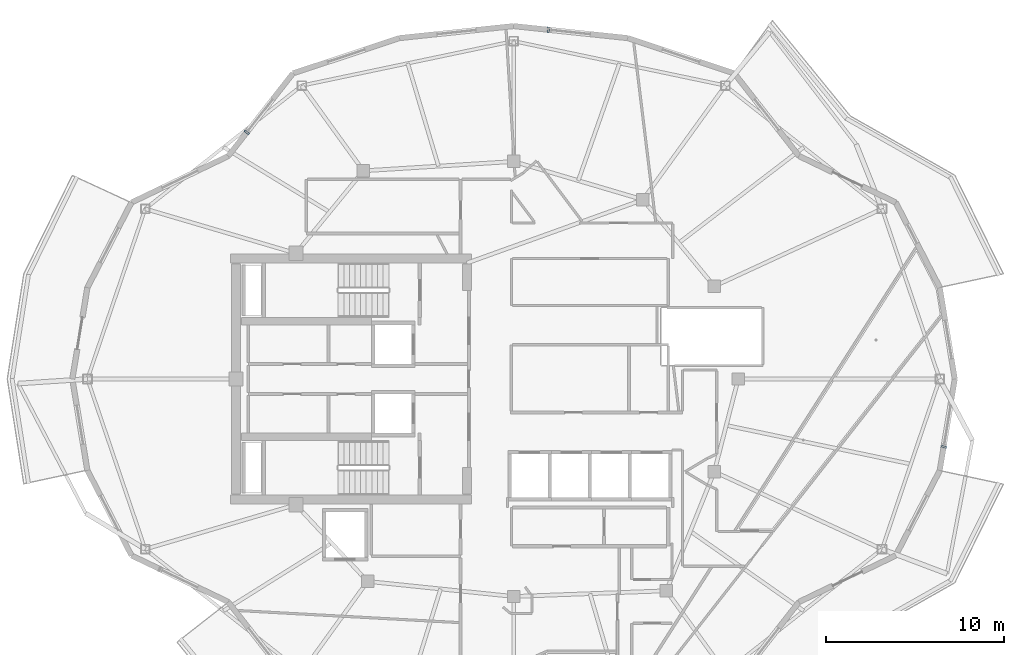
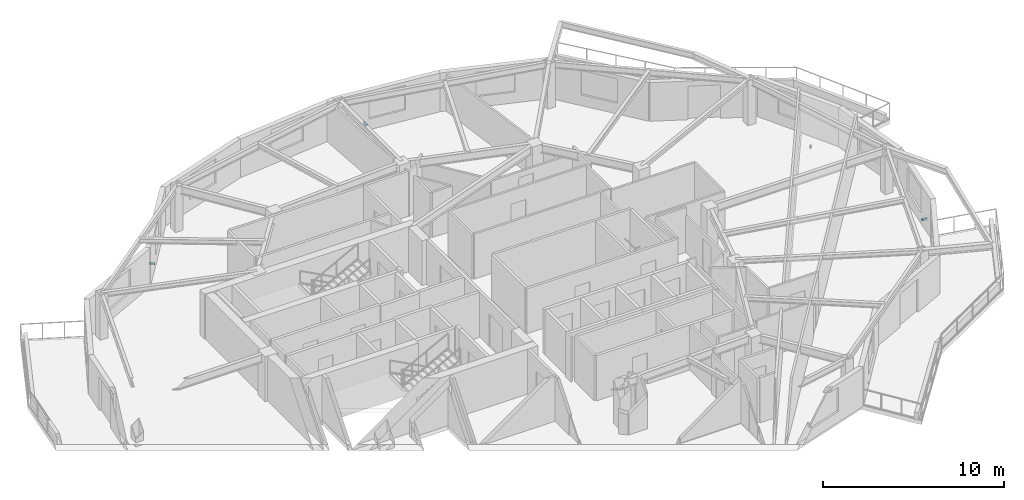
# One storey, part 9 of 14: 3 discrete accessories.
"""IFC4 building model written with IfcOpenShell, lengths in metres."""

from ifc_helpers import new_model, si_unit, direction, frame, origin, origin_2d, place, context, subcontext, project, spatial, rectangle, extrude, material, type_object, element, save


model = new_model("IFC4")

# Units and contexts
model_context = context("Model", 3, precision=1e-05, world=origin(), true_north=direction((0.0, 1.0)))
body_context = subcontext(model_context, "Body", "Model", "MODEL_VIEW")
ifc_project = project(units=[si_unit("LENGTHUNIT", "METRE"), si_unit("AREAUNIT", "SQUARE_METRE"), si_unit("VOLUMEUNIT", "CUBIC_METRE"), si_unit("PLANEANGLEUNIT", "RADIAN"), si_unit("MASSUNIT", "GRAM", prefix="KILO")], contexts=[model_context])

# Site, building, storey
site_placement = place(None, origin())
site = spatial("IfcSite", under=ifc_project, at=site_placement, CompositionType="ELEMENT")
building_placement = place(site_placement, origin())
building = spatial("IfcBuilding", under=site, at=building_placement, Name="Kolvaren Gate Tower and Convention Centre", CompositionType="ELEMENT")
storey_placement = place(building_placement, frame((0.0, 0.0, 209.60009765625)))
storey = spatial("IfcBuildingStorey", under=building, at=storey_placement, Name="L55", CompositionType="ELEMENT", Elevation=209.60009765625)

# Discrete accessories
ifc_material = material(Name="Anodized Architectural Aluminium Alloy 6063-T6", Category="aluminium")
discrete_accessory_type = type_object("IfcDiscreteAccessoryType", Name="ARCH-ACC-BRACKET-120", PredefinedType="BRACKET", material=ifc_material)
for number, where, z_axis, x_axis, name in (
    (1, (32.0751953125, 46.594482421875, 0.289794921875), (0.0, 0.0, 1.0), (0.994498884311, -0.104747167526, 0.0), "Ceramic Fin Wall Anchor Bracket FBK-L55-05"),
    (2, (15.15673828125, 40.8349609375, 0.289794921875), (0.0, 0.0, 1.0), (0.616434119112, 0.787406487651, 0.0), "Ceramic Fin Wall Anchor Bracket FBK-L55-08"),
    (3, (54.248779296875, 23.194580078125, 0.289794921875), (0.0, 0.0, 1.0), (0.162375401515, 0.986729055508, 0.0), "Ceramic Fin Wall Anchor Bracket FBK-L55-23"),
):
    element("IfcDiscreteAccessory", number, at=place(storey_placement, frame(where, z_axis=z_axis, x_axis=x_axis)), inside=storey, type_object=discrete_accessory_type, Name=name, PredefinedType="BRACKET", context=body_context, shape_type="SweptSolid", body=[
        extrude(rectangle(XDim=0.1201171875, YDim=0.320068359375, at=origin_2d()), origin(), (0.0, 0.0, 1.0), 0.1201171875),
    ])

save(model, "model.ifc")
